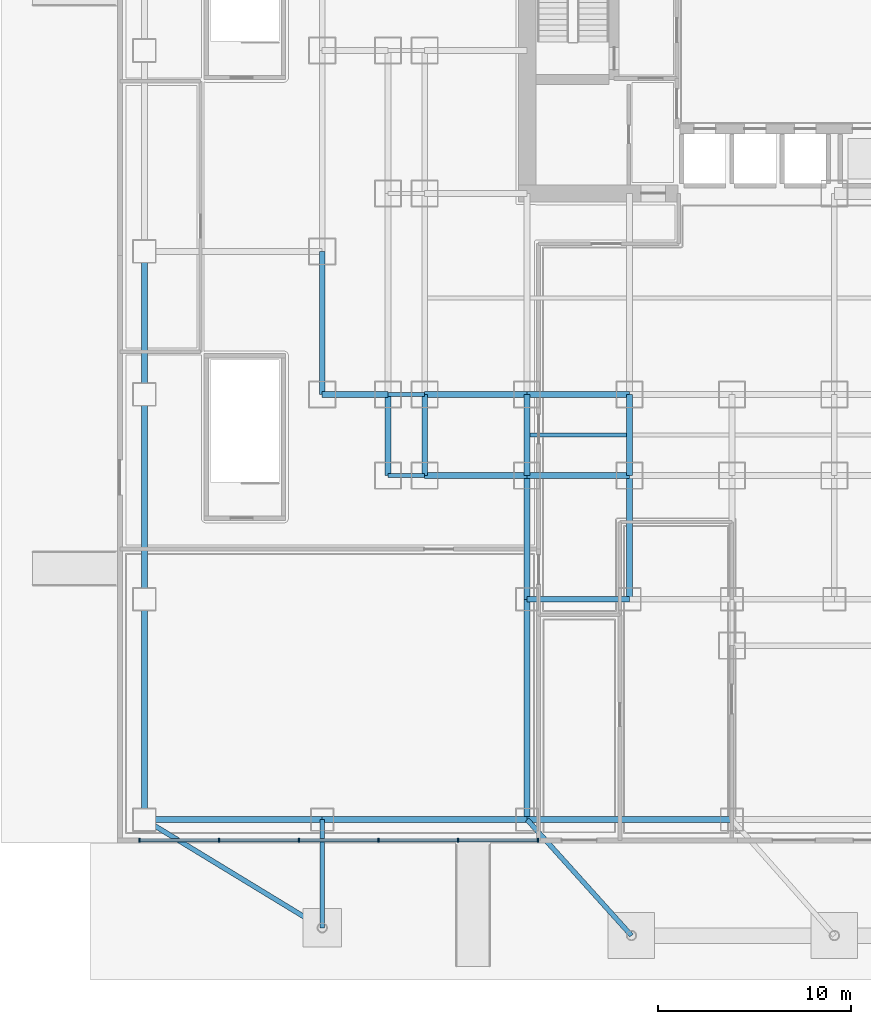
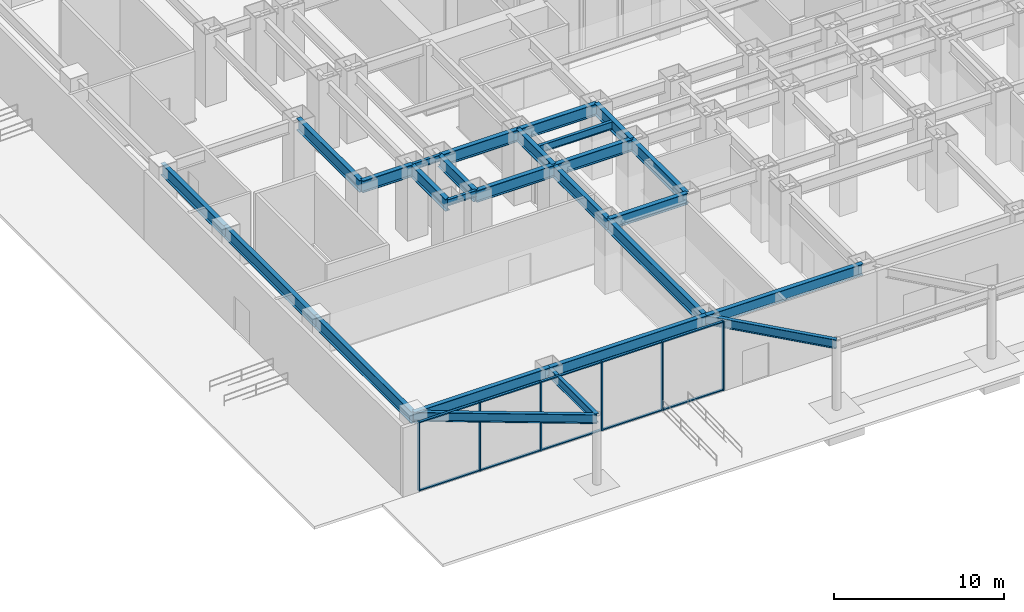
# One storey, part 5 of 18: 26 beams, 16 members, 1 element without a shape of its own.
"""IFC4 building model written with IfcOpenShell, lengths in metres."""

from ifc_helpers import new_model, si_unit, direction, frame, origin, origin_2d, place, context, subcontext, project, spatial, rectangle, i_section, extrude, source, transform, mapped, material, layer, layer_set, material_profile, profile_set, type_object, element, aggregate, save


model = new_model("IFC4")

# Units and contexts
model_context = context("Model", 3, precision=1e-05, world=origin(), true_north=direction((0.0, 1.0)))
body_context = subcontext(model_context, "Body", "Model", "MODEL_VIEW")
ifc_project = project(units=[si_unit("LENGTHUNIT", "METRE"), si_unit("AREAUNIT", "SQUARE_METRE"), si_unit("VOLUMEUNIT", "CUBIC_METRE"), si_unit("PLANEANGLEUNIT", "RADIAN"), si_unit("MASSUNIT", "GRAM", prefix="KILO")], contexts=[model_context])

# Site, building, storey
site_placement = place(None, origin())
site = spatial("IfcSite", under=ifc_project, at=site_placement, CompositionType="ELEMENT")
building_placement = place(site_placement, origin())
building = spatial("IfcBuilding", under=site, at=building_placement, Name="Qianlan Lanfeng Residences", CompositionType="ELEMENT")
storey_placement = place(building_placement, origin())
storey = spatial("IfcBuildingStorey", under=building, at=storey_placement, Name="L00", CompositionType="ELEMENT", Elevation=0.0)

# Beams
ifc_material_1 = material(Name="Steel SN490B", Category="steel")
ifc_material_profile_1 = material_profile(ifc_material_1, i_section(OverallWidth=0.300048828125, OverallDepth=0.85009765625, WebThickness=0.01611328125, FlangeThickness=0.031982421875, at=origin_2d()), Name="H 850x300x16x32")
ifc_profile_set_1 = profile_set([ifc_material_profile_1], Name="Steel SN490B")
beam_type_1 = type_object("IfcBeamType", Name="G-1100", PredefinedType="BEAM", material=ifc_profile_set_1)
beam_1_placement = place(storey_placement, frame((5.300048828125, 10.60009765625, 4.52490234375), z_axis=(1.0, 0.0, 0.0), x_axis=(0.0, 1.0, 0.0)))
element("IfcBeam", 1, at=beam_1_placement, inside=storey, type_object=beam_type_1, Name="Structural beam G-1100", PredefinedType="BEAM", context=body_context, shape_type="SweptSolid", body=[
    extrude(i_section(OverallWidth=0.300048828125, OverallDepth=0.85009765625, WebThickness=0.01611328125, FlangeThickness=0.031982421875, at=origin_2d()), origin(), (0.0, 0.0, 1.0), 5.300048828125),
])
beam_2_placement = place(storey_placement, frame((10.60009765625, 10.60009765625, 4.52490234375), z_axis=(1.0, 0.0, 0.0), x_axis=(0.0, 1.0, 0.0)))
element("IfcBeam", 2, at=beam_2_placement, inside=storey, type_object=beam_type_1, Name="Structural beam G-1100", PredefinedType="BEAM", context=body_context, shape_type="SweptSolid", body=[
    extrude(i_section(OverallWidth=0.300048828125, OverallDepth=0.85009765625, WebThickness=0.01611328125, FlangeThickness=0.031982421875, at=origin_2d()), origin(), (0.0, 0.0, 1.0), 5.2998046875),
])
beam_3_placement = place(storey_placement, frame((0.0, 14.800048828125, 4.52490234375), z_axis=(1.0, 0.0, 0.0), x_axis=(0.0, 1.0, 0.0)))
element("IfcBeam", 3, at=beam_3_placement, inside=storey, type_object=beam_type_1, Name="Structural beam G-1100", PredefinedType="BEAM", context=body_context, shape_type="SweptSolid", body=[
    extrude(i_section(OverallWidth=0.300048828125, OverallDepth=0.85009765625, WebThickness=0.01611328125, FlangeThickness=0.031982421875, at=origin_2d()), origin(), (0.0, 0.0, 1.0), 3.39990234375),
])
beam_4_placement = place(storey_placement, frame((5.300048828125, 14.800048828125, 4.52490234375), z_axis=(1.0, 0.0, 0.0), x_axis=(0.0, 1.0, 0.0)))
element("IfcBeam", 4, at=beam_4_placement, inside=storey, type_object=beam_type_1, Name="Structural beam G-1100", PredefinedType="BEAM", context=body_context, shape_type="SweptSolid", body=[
    extrude(i_section(OverallWidth=0.300048828125, OverallDepth=0.85009765625, WebThickness=0.01611328125, FlangeThickness=0.031982421875, at=origin_2d()), origin(), (0.0, 0.0, 1.0), 5.300048828125),
])
beam_5_placement = place(storey_placement, frame((10.60009765625, 14.800048828125, 4.52490234375), z_axis=(1.0, 0.0, 0.0), x_axis=(0.0, 1.0, 0.0)))
element("IfcBeam", 5, at=beam_5_placement, inside=storey, type_object=beam_type_1, Name="Structural beam G-1100", PredefinedType="BEAM", context=body_context, shape_type="SweptSolid", body=[
    extrude(i_section(OverallWidth=0.300048828125, OverallDepth=0.85009765625, WebThickness=0.01611328125, FlangeThickness=0.031982421875, at=origin_2d()), origin(), (0.0, 0.0, 1.0), 5.2998046875),
])
beam_6_placement = place(storey_placement, frame((-9.199951171875, -7.199951171875, 4.52490234375), z_axis=(0.0, 1.0, 0.0), x_axis=(-1.0, 0.0, 0.0)))
element("IfcBeam", 6, at=beam_6_placement, inside=storey, type_object=beam_type_1, Name="Structural beam G-1100", PredefinedType="BEAM", context=body_context, shape_type="SweptSolid", body=[
    extrude(i_section(OverallWidth=0.300048828125, OverallDepth=0.85009765625, WebThickness=0.01611328125, FlangeThickness=0.031982421875, at=origin_2d()), origin(), (0.0, 0.0, 1.0), 11.39990234375),
])
beam_7_placement = place(storey_placement, frame((-9.199951171875, 4.199951171875, 4.52490234375), z_axis=(0.0, 1.0, 0.0), x_axis=(-1.0, 0.0, 0.0)))
element("IfcBeam", 7, at=beam_7_placement, inside=storey, type_object=beam_type_1, Name="Structural beam G-1100", PredefinedType="BEAM", context=body_context, shape_type="SweptSolid", body=[
    extrude(i_section(OverallWidth=0.300048828125, OverallDepth=0.85009765625, WebThickness=0.01611328125, FlangeThickness=0.031982421875, at=origin_2d()), origin(), (0.0, 0.0, 1.0), 10.60009765625),
])
for number, where, z_axis, x_axis, name in (
    (8, (-9.199951171875, 14.800048828125, 4.52490234375), (0.0, 1.0, 0.0), (-1.0, 0.0, 0.0), "Structural beam G-1100"),
    (9, (0.0, 14.800048828125, 4.52490234375), (0.0, 1.0, 0.0), (-1.0, 0.0, 0.0), "Structural beam G-1100"),
):
    element("IfcBeam", number, at=place(storey_placement, frame(where, z_axis=z_axis, x_axis=x_axis)), inside=storey, type_object=beam_type_1, Name=name, PredefinedType="BEAM", context=body_context, shape_type="SweptSolid", body=[
        extrude(i_section(OverallWidth=0.300048828125, OverallDepth=0.85009765625, WebThickness=0.01611328125, FlangeThickness=0.031982421875, at=origin_2d()), origin(), (0.0, 0.0, 1.0), 7.39990234375),
    ])
for number, where, z_axis, x_axis, name in (
    (10, (3.39990234375, 10.60009765625, 4.52490234375), (0.0, 1.0, 0.0), (-1.0, 0.0, 0.0), "Structural beam G-1100"),
    (11, (5.300048828125, 10.60009765625, 4.52490234375), (0.0, 1.0, 0.0), (-1.0, 0.0, 0.0), "Structural beam G-1100"),
):
    element("IfcBeam", number, at=place(storey_placement, frame(where, z_axis=z_axis, x_axis=x_axis)), inside=storey, type_object=beam_type_1, Name=name, PredefinedType="BEAM", context=body_context, shape_type="SweptSolid", body=[
        extrude(i_section(OverallWidth=0.300048828125, OverallDepth=0.85009765625, WebThickness=0.01611328125, FlangeThickness=0.031982421875, at=origin_2d()), origin(), (0.0, 0.0, 1.0), 4.199951171875),
    ])
beam_8_placement = place(storey_placement, frame((10.60009765625, -7.199951171875, 4.52490234375), z_axis=(0.0, 1.0, 0.0), x_axis=(-1.0, 0.0, 0.0)))
element("IfcBeam", 12, at=beam_8_placement, inside=storey, type_object=beam_type_1, Name="Structural beam G-1100", PredefinedType="BEAM", context=body_context, shape_type="SweptSolid", body=[
    extrude(i_section(OverallWidth=0.300048828125, OverallDepth=0.85009765625, WebThickness=0.01611328125, FlangeThickness=0.031982421875, at=origin_2d()), origin(), (0.0, 0.0, 1.0), 11.39990234375),
])
beam_9_placement = place(storey_placement, frame((10.60009765625, 4.199951171875, 4.52490234375), z_axis=(0.0, 1.0, 0.0), x_axis=(-1.0, 0.0, 0.0)))
element("IfcBeam", 13, at=beam_9_placement, inside=storey, type_object=beam_type_1, Name="Structural beam G-1100", PredefinedType="BEAM", context=body_context, shape_type="SweptSolid", body=[
    extrude(i_section(OverallWidth=0.300048828125, OverallDepth=0.85009765625, WebThickness=0.01611328125, FlangeThickness=0.031982421875, at=origin_2d()), origin(), (0.0, 0.0, 1.0), 6.400146484375),
])
beam_10_placement = place(storey_placement, frame((10.60009765625, 10.60009765625, 4.52490234375), z_axis=(0.0, 1.0, 0.0), x_axis=(-1.0, 0.0, 0.0)))
element("IfcBeam", 14, at=beam_10_placement, inside=storey, type_object=beam_type_1, Name="Structural beam G-1100", PredefinedType="BEAM", context=body_context, shape_type="SweptSolid", body=[
    extrude(i_section(OverallWidth=0.300048828125, OverallDepth=0.85009765625, WebThickness=0.01611328125, FlangeThickness=0.031982421875, at=origin_2d()), origin(), (0.0, 0.0, 1.0), 4.199951171875),
])
beam_11_placement = place(storey_placement, frame((15.89990234375, 4.199951171875, 4.52490234375), z_axis=(0.0, 1.0, 0.0), x_axis=(-1.0, 0.0, 0.0)))
element("IfcBeam", 15, at=beam_11_placement, inside=storey, type_object=beam_type_1, Name="Structural beam G-1100", PredefinedType="BEAM", context=body_context, shape_type="SweptSolid", body=[
    extrude(i_section(OverallWidth=0.300048828125, OverallDepth=0.85009765625, WebThickness=0.01611328125, FlangeThickness=0.031982421875, at=origin_2d()), origin(), (0.0, 0.0, 1.0), 6.400146484375),
])
beam_12_placement = place(storey_placement, frame((15.89990234375, 10.60009765625, 4.52490234375), z_axis=(0.0, 1.0, 0.0), x_axis=(-1.0, 0.0, 0.0)))
element("IfcBeam", 16, at=beam_12_placement, inside=storey, type_object=beam_type_1, Name="Structural beam G-1100", PredefinedType="BEAM", context=body_context, shape_type="SweptSolid", body=[
    extrude(i_section(OverallWidth=0.300048828125, OverallDepth=0.85009765625, WebThickness=0.01611328125, FlangeThickness=0.031982421875, at=origin_2d()), origin(), (0.0, 0.0, 1.0), 4.199951171875),
])
ifc_material_profile_2 = material_profile(ifc_material_1, i_section(OverallWidth=0.199951171875, OverallDepth=0.449951171875, WebThickness=0.009033203125, FlangeThickness=0.013916015625, at=origin_2d()), Name="H 450x200x9x14")
ifc_profile_set_2 = profile_set([ifc_material_profile_2], Name="Steel SN490B")
beam_type_2 = type_object("IfcBeamType", Name="J-450", PredefinedType="JOIST", material=ifc_profile_set_2)
for number, where, z_axis, x_axis, name in (
    (17, (3.39990234375, 10.60009765625, 4.72509765625), (1.0, 0.0, 0.0), (0.0, 1.0, 0.0), "Structural beam J-450"),
    (18, (3.39990234375, 14.800048828125, 4.72509765625), (1.0, 0.0, 0.0), (0.0, 1.0, 0.0), "Structural beam J-450"),
):
    element("IfcBeam", number, at=place(storey_placement, frame(where, z_axis=z_axis, x_axis=x_axis)), inside=storey, type_object=beam_type_2, Name=name, PredefinedType="JOIST", context=body_context, shape_type="SweptSolid", body=[
        extrude(i_section(OverallWidth=0.199951171875, OverallDepth=0.449951171875, WebThickness=0.009033203125, FlangeThickness=0.013916015625, at=origin_2d()), origin(), (0.0, 0.0, 1.0), 1.900146484375),
    ])
ifc_material_profile_3 = material_profile(ifc_material_1, i_section(OverallWidth=0.199951171875, OverallDepth=0.550048828125, WebThickness=0.010986328125, FlangeThickness=0.01806640625, at=origin_2d()), Name="H 550x200x11x18")
ifc_profile_set_3 = profile_set([ifc_material_profile_3], Name="Steel SN490B")
beam_type_3 = type_object("IfcBeamType", Name="J-550", PredefinedType="JOIST", material=ifc_profile_set_3)
beam_13_placement = place(storey_placement, frame((10.75, 12.699951171875, 4.675048828125), z_axis=(1.0, 0.0, 0.0), x_axis=(0.0, 1.0, 0.0)))
element("IfcBeam", 19, at=beam_13_placement, inside=storey, type_object=beam_type_3, Name="Structural beam J-550", PredefinedType="JOIST", context=body_context, shape_type="SweptSolid", body=[
    extrude(i_section(OverallWidth=0.199951171875, OverallDepth=0.550048828125, WebThickness=0.010986328125, FlangeThickness=0.01806640625, at=origin_2d()), origin(), (0.0, 0.0, 1.0), 5.0),
])
ifc_material_profile_4 = material_profile(ifc_material_1, i_section(OverallWidth=0.25, OverallDepth=0.64990234375, WebThickness=0.012939453125, FlangeThickness=0.02197265625, at=origin_2d()), Name="H 650x250x13x22")
ifc_profile_set_4 = profile_set([ifc_material_profile_4], Name="Steel SN490B")
beam_type_4 = type_object("IfcBeamType", Name="SG-650", PredefinedType="SPANDREL", material=ifc_profile_set_4)
beam_14_placement = place(storey_placement, frame((16.0, -13.199951171875, 4.625), z_axis=(-0.668958047626, 0.743300161789, 0.0), x_axis=(-0.743300161789, -0.668958047626, 0.0)))
element("IfcBeam", 20, at=beam_14_placement, inside=storey, type_object=beam_type_4, Name="Entrance Canopy Tie Beam 1", PredefinedType="SPANDREL", context=body_context, shape_type="SweptSolid", body=[
    extrude(i_section(OverallWidth=0.25, OverallDepth=0.64990234375, WebThickness=0.012939453125, FlangeThickness=0.02197265625, at=origin_2d()), origin(), (0.0, 0.0, 1.0), 8.072021484375),
])
beam_15_placement = place(storey_placement, frame((0.0, -12.800048828125, 4.625), z_axis=(0.0, 1.0, 0.0), x_axis=(-1.0, 0.0, 0.0)))
element("IfcBeam", 21, at=beam_15_placement, inside=storey, type_object=beam_type_4, Name="West Plaza Pergola Beam 1", PredefinedType="SPANDREL", context=body_context, shape_type="SweptSolid", body=[
    extrude(i_section(OverallWidth=0.25, OverallDepth=0.64990234375, WebThickness=0.012939453125, FlangeThickness=0.02197265625, at=origin_2d()), origin(), (0.0, 0.0, 1.0), 5.60009765625),
])
beam_16_placement = place(storey_placement, frame((0.0, -12.800048828125, 4.625), z_axis=(-0.854193302878, 0.519955576292, 0.0), x_axis=(-0.519955576292, -0.854193302878, 0.0)))
element("IfcBeam", 22, at=beam_16_placement, inside=storey, type_object=beam_type_4, Name="West Plaza Pergola Beam 2", PredefinedType="SPANDREL", context=body_context, shape_type="SweptSolid", body=[
    extrude(i_section(OverallWidth=0.25, OverallDepth=0.64990234375, WebThickness=0.012939453125, FlangeThickness=0.02197265625, at=origin_2d()), origin(), (0.0, 0.0, 1.0), 10.770263671875),
])
ifc_material_profile_5 = material_profile(ifc_material_1, i_section(OverallWidth=0.300048828125, OverallDepth=0.800048828125, WebThickness=0.01611328125, FlangeThickness=0.028076171875, at=origin_2d()), Name="H 800x300x16x28")
ifc_profile_set_5 = profile_set([ifc_material_profile_5], Name="Steel SN490B")
beam_type_5 = type_object("IfcBeamType", Name="SG-950", PredefinedType="SPANDREL", material=ifc_profile_set_5)
beam_17_placement = place(storey_placement, frame((-9.199951171875, -7.199951171875, 4.550048828125), z_axis=(1.0, 0.0, 0.0), x_axis=(0.0, 1.0, 0.0)))
element("IfcBeam", 23, at=beam_17_placement, inside=storey, type_object=beam_type_5, Name="Structural beam SG-950", PredefinedType="SPANDREL", context=body_context, shape_type="SweptSolid", body=[
    extrude(i_section(OverallWidth=0.300048828125, OverallDepth=0.800048828125, WebThickness=0.01611328125, FlangeThickness=0.028076171875, at=origin_2d()), origin(), (0.0, 0.0, 1.0), 9.199951171875),
])
beam_18_placement = place(storey_placement, frame((0.0, -7.199951171875, 4.550048828125), z_axis=(1.0, 0.0, 0.0), x_axis=(0.0, 1.0, 0.0)))
element("IfcBeam", 24, at=beam_18_placement, inside=storey, type_object=beam_type_5, Name="Structural beam SG-950", PredefinedType="SPANDREL", context=body_context, shape_type="SweptSolid", body=[
    extrude(i_section(OverallWidth=0.300048828125, OverallDepth=0.800048828125, WebThickness=0.01611328125, FlangeThickness=0.028076171875, at=origin_2d()), origin(), (0.0, 0.0, 1.0), 10.60009765625),
])
beam_19_placement = place(storey_placement, frame((10.60009765625, -7.199951171875, 4.550048828125), z_axis=(1.0, 0.0, 0.0), x_axis=(0.0, 1.0, 0.0)))
element("IfcBeam", 25, at=beam_19_placement, inside=storey, type_object=beam_type_5, Name="Structural beam SG-950", PredefinedType="SPANDREL", context=body_context, shape_type="SweptSolid", body=[
    extrude(i_section(OverallWidth=0.300048828125, OverallDepth=0.800048828125, WebThickness=0.01611328125, FlangeThickness=0.028076171875, at=origin_2d()), origin(), (0.0, 0.0, 1.0), 10.599853515625),
])
beam_20_placement = place(storey_placement, frame((10.60009765625, 4.199951171875, 4.550048828125), z_axis=(1.0, 0.0, 0.0), x_axis=(0.0, 1.0, 0.0)))
element("IfcBeam", 26, at=beam_20_placement, inside=storey, type_object=beam_type_5, Name="Structural beam SG-950", PredefinedType="SPANDREL", context=body_context, shape_type="SweptSolid", body=[
    extrude(i_section(OverallWidth=0.300048828125, OverallDepth=0.800048828125, WebThickness=0.01611328125, FlangeThickness=0.028076171875, at=origin_2d()), origin(), (0.0, 0.0, 1.0), 5.2998046875),
])

# Curtain wall, members
ifc_material_2 = material(Name="Anodised Bronze Aluminium 6063-T6", Category="aluminium")
ifc_layer = layer(ifc_material_2, 0.219970703125)
ifc_layer_set = layer_set([ifc_layer], Name="Anodised Bronze Aluminium 6063-T6")
curtain_wall_type = type_object("IfcCurtainWallType", Name="CW-01", PredefinedType="NOTDEFINED", material=ifc_layer_set)
curtain_wall_placement = place(storey_placement, origin())
curtain_wall = element("IfcCurtainWall", 27, at=curtain_wall_placement, inside=storey, type_object=curtain_wall_type, Name="L00 Unitised Curtain Wall CWR-L00-SW (CW-01)", PredefinedType="NOTDEFINED")
ifc_material_profile_6 = material_profile(ifc_material_2, rectangle(XDim=0.080078125, YDim=0.2099609375, at=origin_2d()), Name="ALU MULLION 80x210")
ifc_profile_set_6 = profile_set([ifc_material_profile_6], Name="Anodised Bronze Aluminium 6063-T6")
member_type_1 = type_object("IfcMemberType", Name="CWM-220", PredefinedType="MULLION", material=ifc_profile_set_6)
shared_shape_1 = source(origin(), body_context, "Body", "SweptSolid", [
    extrude(rectangle(XDim=0.080078125, YDim=0.2099609375, at=origin_2d()), origin(), (0.0, 0.0, 1.0), 4.949951171875),
])
member_1_placement = place(storey_placement, frame((-9.4599609375, -8.27001953125, 0.0), z_axis=(0.0, 0.0, 1.0), x_axis=(1.0, 0.0, 0.0)))
member_1 = element("IfcMember", 28, at=member_1_placement, type_object=member_type_1, Name="CWR-L00-SW Mullion 1", PredefinedType="MULLION", context=body_context, shape_type="MappedRepresentation", body=[
    mapped(shared_shape_1, transform((0.0, 0.0, 0.0), scale=1.0)),
])
member_2_placement = place(storey_placement, frame((-5.3359375, -8.27001953125, 0.0), z_axis=(0.0, 0.0, 1.0), x_axis=(1.0, 0.0, 0.0)))
member_2 = element("IfcMember", 29, at=member_2_placement, type_object=member_type_1, Name="CWR-L00-SW Mullion 2", PredefinedType="MULLION", context=body_context, shape_type="MappedRepresentation", body=[
    mapped(shared_shape_1, transform((0.0, 0.0, 0.0), scale=1.0)),
])
member_3_placement = place(storey_placement, frame((-1.2119140625, -8.27001953125, 0.0), z_axis=(0.0, 0.0, 1.0), x_axis=(1.0, 0.0, 0.0)))
member_3 = element("IfcMember", 30, at=member_3_placement, type_object=member_type_1, Name="CWR-L00-SW Mullion 3", PredefinedType="MULLION", context=body_context, shape_type="MappedRepresentation", body=[
    mapped(shared_shape_1, transform((0.0, 0.0, 0.0), scale=1.0)),
])
member_4_placement = place(storey_placement, frame((2.912109375, -8.27001953125, 0.0), z_axis=(0.0, 0.0, 1.0), x_axis=(1.0, 0.0, 0.0)))
member_4 = element("IfcMember", 31, at=member_4_placement, type_object=member_type_1, Name="CWR-L00-SW Mullion 4", PredefinedType="MULLION", context=body_context, shape_type="MappedRepresentation", body=[
    mapped(shared_shape_1, transform((0.0, 0.0, 0.0), scale=1.0)),
])
member_5_placement = place(storey_placement, frame((7.035888671875, -8.27001953125, 0.0), z_axis=(0.0, 0.0, 1.0), x_axis=(1.0, 0.0, 0.0)))
member_5 = element("IfcMember", 32, at=member_5_placement, type_object=member_type_1, Name="CWR-L00-SW Mullion 5", PredefinedType="MULLION", context=body_context, shape_type="MappedRepresentation", body=[
    mapped(shared_shape_1, transform((0.0, 0.0, 0.0), scale=1.0)),
])
member_6_placement = place(storey_placement, frame((11.159912109375, -8.27001953125, 0.0), z_axis=(0.0, 0.0, 1.0), x_axis=(1.0, 0.0, 0.0)))
member_6 = element("IfcMember", 33, at=member_6_placement, type_object=member_type_1, Name="CWR-L00-SW Mullion 6", PredefinedType="MULLION", context=body_context, shape_type="MappedRepresentation", body=[
    mapped(shared_shape_1, transform((0.0, 0.0, 0.0), scale=1.0)),
])
ifc_material_profile_7 = material_profile(ifc_material_2, rectangle(XDim=0.080078125, YDim=0.159912109375, at=origin_2d()), Name="ALU TRANSOM 80x160")
ifc_profile_set_7 = profile_set([ifc_material_profile_7], Name="Anodised Bronze Aluminium 6063-T6")
member_type_2 = type_object("IfcMemberType", Name="CWT-180", PredefinedType="USERDEFINED", material=ifc_profile_set_7)
shared_shape_2 = source(origin(), body_context, "Body", "SweptSolid", [
    extrude(rectangle(XDim=0.080078125, YDim=0.159912109375, at=origin_2d()), origin(), (0.0, 0.0, 1.0), 4.0439453125),
])
member_7_placement = place(storey_placement, frame((-9.419921875, -8.27001953125, 0.0400390625), z_axis=(1.0, 0.0, 0.0), x_axis=(0.0, 0.0, 1.0)))
member_7 = element("IfcMember", 34, at=member_7_placement, type_object=member_type_2, Name="CWR-L00-SW Transom 1-BOT", ObjectType="TRANSOM", PredefinedType="USERDEFINED", context=body_context, shape_type="MappedRepresentation", body=[
    mapped(shared_shape_2, transform((0.0, 0.0, 0.0), scale=1.0)),
])
member_8_placement = place(storey_placement, frame((-9.419921875, -8.27001953125, 4.909912109375), z_axis=(1.0, 0.0, 0.0), x_axis=(0.0, 0.0, 1.0)))
member_8 = element("IfcMember", 35, at=member_8_placement, type_object=member_type_2, Name="CWR-L00-SW Transom 1-TOP", ObjectType="TRANSOM", PredefinedType="USERDEFINED", context=body_context, shape_type="MappedRepresentation", body=[
    mapped(shared_shape_2, transform((0.0, 0.0, 0.0), scale=1.0)),
])
member_9_placement = place(storey_placement, frame((-5.2958984375, -8.27001953125, 0.0400390625), z_axis=(1.0, 0.0, 0.0), x_axis=(0.0, 0.0, 1.0)))
member_9 = element("IfcMember", 36, at=member_9_placement, type_object=member_type_2, Name="CWR-L00-SW Transom 2-BOT", ObjectType="TRANSOM", PredefinedType="USERDEFINED", context=body_context, shape_type="MappedRepresentation", body=[
    mapped(shared_shape_2, transform((0.0, 0.0, 0.0), scale=1.0)),
])
member_10_placement = place(storey_placement, frame((-5.2958984375, -8.27001953125, 4.909912109375), z_axis=(1.0, 0.0, 0.0), x_axis=(0.0, 0.0, 1.0)))
member_10 = element("IfcMember", 37, at=member_10_placement, type_object=member_type_2, Name="CWR-L00-SW Transom 2-TOP", ObjectType="TRANSOM", PredefinedType="USERDEFINED", context=body_context, shape_type="MappedRepresentation", body=[
    mapped(shared_shape_2, transform((0.0, 0.0, 0.0), scale=1.0)),
])
shared_shape_3 = source(origin(), body_context, "Body", "SweptSolid", [
    extrude(rectangle(XDim=0.080078125, YDim=0.159912109375, at=origin_2d()), origin(), (0.0, 0.0, 1.0), 4.044189453125),
])
member_11_placement = place(storey_placement, frame((-1.172119140625, -8.27001953125, 0.0400390625), z_axis=(1.0, 0.0, 0.0), x_axis=(0.0, 0.0, 1.0)))
member_11 = element("IfcMember", 38, at=member_11_placement, type_object=member_type_2, Name="CWR-L00-SW Transom 3-BOT", ObjectType="TRANSOM", PredefinedType="USERDEFINED", context=body_context, shape_type="MappedRepresentation", body=[
    mapped(shared_shape_3, transform((0.0, 0.0, 0.0), scale=1.0)),
])
member_12_placement = place(storey_placement, frame((-1.172119140625, -8.27001953125, 4.909912109375), z_axis=(1.0, 0.0, 0.0), x_axis=(0.0, 0.0, 1.0)))
member_12 = element("IfcMember", 39, at=member_12_placement, type_object=member_type_2, Name="CWR-L00-SW Transom 3-TOP", ObjectType="TRANSOM", PredefinedType="USERDEFINED", context=body_context, shape_type="MappedRepresentation", body=[
    mapped(shared_shape_3, transform((0.0, 0.0, 0.0), scale=1.0)),
])
member_13_placement = place(storey_placement, frame((2.951904296875, -8.27001953125, 0.0400390625), z_axis=(1.0, 0.0, 0.0), x_axis=(0.0, 0.0, 1.0)))
member_13 = element("IfcMember", 40, at=member_13_placement, type_object=member_type_2, Name="CWR-L00-SW Transom 4-BOT", ObjectType="TRANSOM", PredefinedType="USERDEFINED", context=body_context, shape_type="MappedRepresentation", body=[
    mapped(shared_shape_3, transform((0.0, 0.0, 0.0), scale=1.0)),
])
member_14_placement = place(storey_placement, frame((2.951904296875, -8.27001953125, 4.909912109375), z_axis=(1.0, 0.0, 0.0), x_axis=(0.0, 0.0, 1.0)))
member_14 = element("IfcMember", 41, at=member_14_placement, type_object=member_type_2, Name="CWR-L00-SW Transom 4-TOP", ObjectType="TRANSOM", PredefinedType="USERDEFINED", context=body_context, shape_type="MappedRepresentation", body=[
    mapped(shared_shape_3, transform((0.0, 0.0, 0.0), scale=1.0)),
])
member_15_placement = place(storey_placement, frame((7.075927734375, -8.27001953125, 0.0400390625), z_axis=(1.0, 0.0, 0.0), x_axis=(0.0, 0.0, 1.0)))
member_15 = element("IfcMember", 42, at=member_15_placement, type_object=member_type_2, Name="CWR-L00-SW Transom 5-BOT", ObjectType="TRANSOM", PredefinedType="USERDEFINED", context=body_context, shape_type="MappedRepresentation", body=[
    mapped(shared_shape_3, transform((0.0, 0.0, 0.0), scale=1.0)),
])
member_16_placement = place(storey_placement, frame((7.075927734375, -8.27001953125, 4.909912109375), z_axis=(1.0, 0.0, 0.0), x_axis=(0.0, 0.0, 1.0)))
member_16 = element("IfcMember", 43, at=member_16_placement, type_object=member_type_2, Name="CWR-L00-SW Transom 5-TOP", ObjectType="TRANSOM", PredefinedType="USERDEFINED", context=body_context, shape_type="MappedRepresentation", body=[
    mapped(shared_shape_3, transform((0.0, 0.0, 0.0), scale=1.0)),
])
aggregate(curtain_wall, [member_1, member_2, member_3, member_4, member_5, member_6, member_7, member_8, member_9, member_10, member_11, member_12, member_13, member_14, member_15, member_16])

save(model, "model.ifc")
